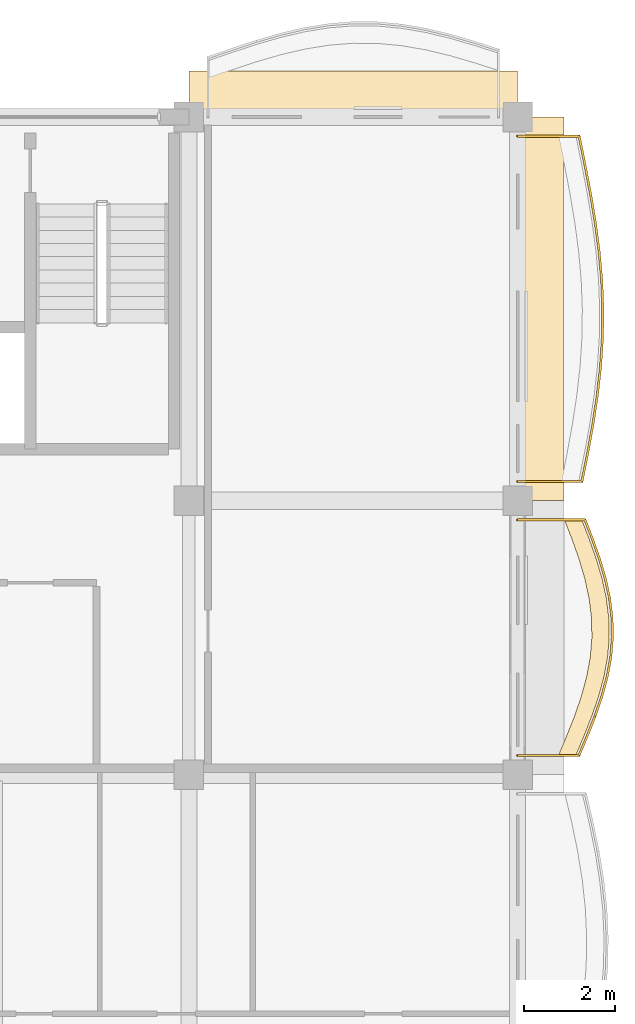
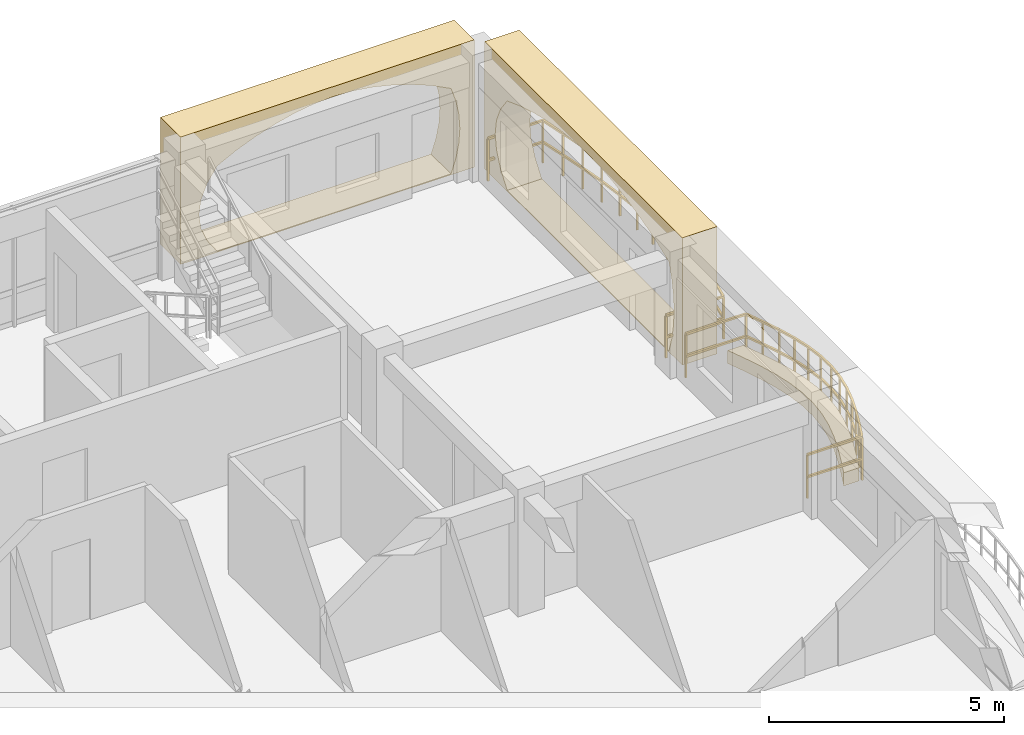
# One storey, part 78 of 79: 3 coverings, 2 railings.
"""IFC4 building model written with IfcOpenShell, lengths in metres."""

from ifc_helpers import new_model, si_unit, direction, frame, origin, origin_2d, place, context, subcontext, project, spatial, polyline, rectangle, outline, extrude, material, layer, layer_set, type_object, element, save


model = new_model("IFC4")

# Units and contexts
model_context = context("Model", 3, precision=1e-05, world=origin(), true_north=direction((0.0, 1.0)))
body_context = subcontext(model_context, "Body", "Model", "MODEL_VIEW")
ifc_project = project(units=[si_unit("LENGTHUNIT", "METRE"), si_unit("AREAUNIT", "SQUARE_METRE"), si_unit("VOLUMEUNIT", "CUBIC_METRE"), si_unit("PLANEANGLEUNIT", "RADIAN"), si_unit("MASSUNIT", "GRAM", prefix="KILO"), si_unit("THERMODYNAMICTEMPERATUREUNIT", "KELVIN")], contexts=[model_context])

# Site, building, storey
site_placement = place(None, origin())
site = spatial("IfcSite", under=ifc_project, at=site_placement, CompositionType="ELEMENT")
building_placement = place(site_placement, origin())
building = spatial("IfcBuilding", under=site, at=building_placement, Name="Thalorik Housing Commons", CompositionType="ELEMENT")
storey_placement = place(building_placement, frame((0.0, 0.0, 11.39990234375)))
storey = spatial("IfcBuildingStorey", under=building, at=storey_placement, Name="L03", CompositionType="ELEMENT", Elevation=11.39990234375)

# Coverings
ifc_material_1 = material(Name="Precast concrete C40/50", Category="concrete")
ifc_layer_1 = layer(ifc_material_1, 0.85009765625, Name="Precast concrete C40/50", Category="concrete")
ifc_layer_set_1 = layer_set([ifc_layer_1], Name="Precast concrete C40/50")
covering_type_1 = type_object("IfcCoveringType", Name="ARC-CLD-CUSH-850", PredefinedType="CLADDING", material=ifc_layer_set_1)
covering_1_placement = place(storey_placement, frame((174.5849609375, 119.39990234375, 0.0), z_axis=(0.0, 0.0, 1.0), x_axis=(0.0, 1.0, 0.0)))
element("IfcCovering", 1, at=covering_1_placement, inside=storey, type_object=covering_type_1, Name="L03 White Precast Curved Cushion Bay Frame 1850", PredefinedType="CLADDING", context=body_context, shape_type="SweptSolid", body=[
    extrude(outline(polyline([(-4.199951171875, 0.0), (4.199951171875, 0.0), (4.199951171875, 3.300048828125), (-4.199951171875, 3.300048828125), (-4.199951171875, 0.0)]), holes=[polyline([(3.239990234375, 0.02490234375), (3.523193359375, 0.410888671875), (3.693359375, 0.796630859375), (3.75, 1.1826171875), (3.693359375, 1.568359375), (3.523193359375, 1.9541015625), (3.239990234375, 2.340087890625), (2.66748046875, 2.552978515625), (2.094970703125, 2.720458984375), (1.5224609375, 2.85595703125), (0.949951171875, 2.956787109375), (0.37744140625, 3.01904296875), (-0.195068359375, 3.0400390625), (-0.767578125, 3.01904296875), (-1.340087890625, 2.956787109375), (-1.91259765625, 2.85595703125), (-2.485107421875, 2.720458984375), (-3.0576171875, 2.552978515625), (-3.6298828125, 2.340087890625), (-3.750244140625, 1.9541015625), (-3.822509765625, 1.568359375), (-3.8466796875, 1.1826171875), (-3.822509765625, 0.796630859375), (-3.750244140625, 0.410888671875), (-3.6298828125, 0.02490234375), (3.239990234375, 0.02490234375)])]), frame((0.0, 0.425048828125, 0.0), z_axis=(0.0, -1.0, 0.0), x_axis=(1.0, 0.0, 0.0)), (0.0, 0.0, 1.0), 0.85009765625),
])
covering_2_placement = place(storey_placement, frame((170.39990234375, 124.18505859375, 0.0), z_axis=(0.0, 0.0, 1.0), x_axis=(-1.0, 0.0, 0.0)))
element("IfcCovering", 2, at=covering_2_placement, inside=storey, type_object=covering_type_1, Name="L03 White Precast Curved Cushion Bay Frame 1852", PredefinedType="CLADDING", context=body_context, shape_type="SweptSolid", body=[
    extrude(outline(polyline([(-3.60009765625, 0.0), (3.60009765625, 0.0), (3.60009765625, 3.300048828125), (-3.60009765625, 3.300048828125), (-3.60009765625, 0.0)]), holes=[polyline([(2.702392578125, 0.02490234375), (2.951171875, 0.394287109375), (3.100341796875, 0.76318359375), (3.14990234375, 1.132568359375), (3.100341796875, 1.501708984375), (2.951171875, 1.870849609375), (2.702392578125, 2.239990234375), (2.224853515625, 2.4833984375), (1.7470703125, 2.6748046875), (1.269287109375, 2.82958984375), (0.791748046875, 2.94482421875), (0.31396484375, 3.01611328125), (-0.163818359375, 3.0400390625), (-0.6416015625, 3.01611328125), (-1.119140625, 2.94482421875), (-1.596923828125, 2.82958984375), (-2.07470703125, 2.6748046875), (-2.55224609375, 2.4833984375), (-3.030029296875, 2.239990234375), (-3.150390625, 1.870849609375), (-3.222412109375, 1.501708984375), (-3.24658203125, 1.132568359375), (-3.222412109375, 0.76318359375), (-3.150390625, 0.394287109375), (-3.030029296875, 0.02490234375), (2.702392578125, 0.02490234375)])]), frame((0.0, 0.425048828125, 0.0), z_axis=(0.0, -1.0, 0.0), x_axis=(1.0, 0.0, 0.0)), (0.0, 0.0, 1.0), 0.85009765625),
])
ifc_material_2 = material(Name="Planted vegetated substrate and terracotta trough", Category="masonry")
ifc_layer_2 = layer(ifc_material_2, 0.340087890625, Name="Planted vegetated substrate and terracotta trough", Category="masonry")
ifc_layer_set_2 = layer_set([ifc_layer_2], Name="Planted vegetated substrate and terracotta trough")
covering_type_2 = type_object("IfcCoveringType", Name="ARC-COV-PLANTER", PredefinedType="USERDEFINED", material=ifc_layer_set_2)
covering_3_placement = place(storey_placement, origin())
element("IfcCovering", 3, at=covering_3_placement, inside=storey, type_object=covering_type_2, Name="L03 Balcony Slab-Edge Planted Trough 5445", ObjectType="PLANTER", PredefinedType="USERDEFINED", context=body_context, shape_type="SweptSolid", body=[
    extrude(outline(polyline([(175.2744140625, 109.6201171875), (175.454833984375, 110.050048828125), (175.62451171875, 110.47998046875), (175.77294921875, 110.909912109375), (175.890380859375, 111.340087890625), (175.969482421875, 111.77001953125), (176.00537109375, 112.199951171875), (175.996337890625, 112.6298828125), (175.943359375, 113.06005859375), (175.850341796875, 113.489990234375), (175.723388671875, 113.919921875), (175.571533203125, 114.35009765625), (175.405029296875, 114.780029296875), (175.02490234375, 114.780029296875), (175.191650390625, 114.35009765625), (175.343505859375, 113.919921875), (175.47021484375, 113.489990234375), (175.5634765625, 113.06005859375), (175.616455078125, 112.6298828125), (175.62548828125, 112.199951171875), (175.58935546875, 111.77001953125), (175.51025390625, 111.340087890625), (175.392822265625, 110.909912109375), (175.24462890625, 110.47998046875), (175.07470703125, 110.050048828125), (174.894287109375, 109.6201171875), (175.2744140625, 109.6201171875)])), origin(), (0.0, 0.0, 1.0), 0.340087890625),
])

# Railings
ifc_material_3 = material(Name="Steel S355", Category="steel")
railing_type_1 = type_object("IfcRailingType", Name="ARC-RL-BAL-112", PredefinedType="BALUSTRADE", material=ifc_material_3)
railing_1_placement = place(storey_placement, frame((174.0, 115.6201171875, 0.0)))
element("IfcRailing", 4, at=railing_1_placement, inside=storey, type_object=railing_type_1, Name="L03 Cushion Balcony Guardrail 130", PredefinedType="BALUSTRADE", context=body_context, shape_type="SweptSolid", body=[
    extrude(rectangle(XDim=0.050048828125, YDim=0.050048828125, at=origin_2d()), frame((0.0, 0.0, 1.09521484375), z_axis=(1.0, 0.0, 0.0), x_axis=(0.0, 1.0, 0.0)), (0.0, 0.0, 1.0), 1.40869140625),
    extrude(rectangle(XDim=0.050048828125, YDim=0.050048828125, at=origin_2d()), frame((0.0, 0.0, 0.53515625), z_axis=(1.0, 0.0, 0.0), x_axis=(0.0, 1.0, 0.0)), (0.0, 0.0, 1.0), 1.40869140625),
    extrude(rectangle(XDim=0.050048828125, YDim=0.050048828125, at=origin_2d()), frame((1.40869140625, 0.0, 1.09521484375), z_axis=(0.19684687543, 0.980434244421, 0.0), x_axis=(-0.980434244421, 0.19684687543, 0.0)), (0.0, 0.0, 1.0), 0.642333984375),
    extrude(rectangle(XDim=0.050048828125, YDim=0.050048828125, at=origin_2d()), frame((1.40869140625, 0.0, 0.53515625), z_axis=(0.19684687543, 0.980434244421, 0.0), x_axis=(-0.980434244421, 0.19684687543, 0.0)), (0.0, 0.0, 1.0), 0.642333984375),
    extrude(rectangle(XDim=0.050048828125, YDim=0.050048828125, at=origin_2d()), frame((1.53515625, 0.6298828125, 1.09521484375), z_axis=(0.179958985295, 0.983674114538, 0.0), x_axis=(-0.983674114538, 0.179958985295, 0.0)), (0.0, 0.0, 1.0), 0.640380859375),
    extrude(rectangle(XDim=0.050048828125, YDim=0.050048828125, at=origin_2d()), frame((1.53515625, 0.6298828125, 0.53515625), z_axis=(0.179958985295, 0.983674114538, 0.0), x_axis=(-0.983674114538, 0.179958985295, 0.0)), (0.0, 0.0, 1.0), 0.640380859375),
    extrude(rectangle(XDim=0.050048828125, YDim=0.050048828125, at=origin_2d()), frame((1.650390625, 1.259765625, 1.09521484375), z_axis=(0.150531517902, 0.988605210445, 0.0), x_axis=(-0.988605210445, 0.150531517902, 0.0)), (0.0, 0.0, 1.0), 0.637451171875),
    extrude(rectangle(XDim=0.050048828125, YDim=0.050048828125, at=origin_2d()), frame((1.650390625, 1.259765625, 0.53515625), z_axis=(0.150531517902, 0.988605210445, 0.0), x_axis=(-0.988605210445, 0.150531517902, 0.0)), (0.0, 0.0, 1.0), 0.637451171875),
    extrude(rectangle(XDim=0.050048828125, YDim=0.050048828125, at=origin_2d()), frame((1.746337890625, 1.889892578125, 1.09521484375), z_axis=(0.1116996832, 0.993742009162, 0.0), x_axis=(-0.993742009162, 0.1116996832, 0.0)), (0.0, 0.0, 1.0), 0.6337890625),
    extrude(rectangle(XDim=0.050048828125, YDim=0.050048828125, at=origin_2d()), frame((1.746337890625, 1.889892578125, 0.53515625), z_axis=(0.1116996832, 0.993742009162, 0.0), x_axis=(-0.993742009162, 0.1116996832, 0.0)), (0.0, 0.0, 1.0), 0.6337890625),
    extrude(rectangle(XDim=0.050048828125, YDim=0.050048828125, at=origin_2d()), frame((1.817138671875, 2.519775390625, 1.09521484375), z_axis=(0.064568584417, 0.997913271736, 0.0), x_axis=(-0.997913271736, 0.064568584417, 0.0)), (0.0, 0.0, 1.0), 0.63134765625),
    extrude(rectangle(XDim=0.050048828125, YDim=0.050048828125, at=origin_2d()), frame((1.817138671875, 2.519775390625, 0.53515625), z_axis=(0.064568584417, 0.997913271736, 0.0), x_axis=(-0.997913271736, 0.064568584417, 0.0)), (0.0, 0.0, 1.0), 0.63134765625),
    extrude(rectangle(XDim=0.050048828125, YDim=0.050048828125, at=origin_2d()), frame((1.85791015625, 3.14990234375, 1.09521484375), z_axis=(0.013177150402, 0.999913177585, 0.0), x_axis=(-0.999913177585, 0.013177150402, 0.0)), (0.0, 0.0, 1.0), 0.6298828125),
    extrude(rectangle(XDim=0.050048828125, YDim=0.050048828125, at=origin_2d()), frame((1.85791015625, 3.14990234375, 0.53515625), z_axis=(0.013177150402, 0.999913177585, 0.0), x_axis=(-0.999913177585, 0.013177150402, 0.0)), (0.0, 0.0, 1.0), 0.6298828125),
    extrude(rectangle(XDim=0.050048828125, YDim=0.050048828125, at=origin_2d()), frame((1.8662109375, 3.77978515625, 1.09521484375), z_axis=(-0.039488741409, 0.999220015463, 0.0), x_axis=(-0.999220015463, -0.039488741409, 0.0)), (0.0, 0.0, 1.0), 0.630615234375),
    extrude(rectangle(XDim=0.050048828125, YDim=0.050048828125, at=origin_2d()), frame((1.8662109375, 3.77978515625, 0.53515625), z_axis=(-0.039488741409, 0.999220015463, 0.0), x_axis=(-0.999220015463, -0.039488741409, 0.0)), (0.0, 0.0, 1.0), 0.630615234375),
    extrude(rectangle(XDim=0.050048828125, YDim=0.050048828125, at=origin_2d()), frame((1.84130859375, 4.409912109375, 1.09521484375), z_axis=(-0.089178149123, 0.996015691502, 0.0), x_axis=(-0.996015691502, -0.089178149123, 0.0)), (0.0, 0.0, 1.0), 0.63232421875),
    extrude(rectangle(XDim=0.050048828125, YDim=0.050048828125, at=origin_2d()), frame((1.84130859375, 4.409912109375, 0.53515625), z_axis=(-0.089178149123, 0.996015691502, 0.0), x_axis=(-0.996015691502, -0.089178149123, 0.0)), (0.0, 0.0, 1.0), 0.63232421875),
    extrude(rectangle(XDim=0.050048828125, YDim=0.050048828125, at=origin_2d()), frame((1.784912109375, 5.039794921875, 1.09521484375), z_axis=(-0.131736031519, 0.991284831923, 0.0), x_axis=(-0.991284831923, -0.131736031519, 0.0)), (0.0, 0.0, 1.0), 0.6357421875),
    extrude(rectangle(XDim=0.050048828125, YDim=0.050048828125, at=origin_2d()), frame((1.784912109375, 5.039794921875, 0.53515625), z_axis=(-0.131736031519, 0.991284831923, 0.0), x_axis=(-0.991284831923, -0.131736031519, 0.0)), (0.0, 0.0, 1.0), 0.6357421875),
    extrude(rectangle(XDim=0.050048828125, YDim=0.050048828125, at=origin_2d()), frame((1.701171875, 5.669921875, 1.09521484375), z_axis=(-0.165514641527, 0.986207332887, 0.0), x_axis=(-0.986207332887, -0.165514641527, 0.0)), (0.0, 0.0, 1.0), 0.638671875),
    extrude(rectangle(XDim=0.050048828125, YDim=0.050048828125, at=origin_2d()), frame((1.701171875, 5.669921875, 0.53515625), z_axis=(-0.165514641527, 0.986207332887, 0.0), x_axis=(-0.986207332887, -0.165514641527, 0.0)), (0.0, 0.0, 1.0), 0.638671875),
    extrude(rectangle(XDim=0.050048828125, YDim=0.050048828125, at=origin_2d()), frame((1.595458984375, 6.2998046875, 1.09521484375), z_axis=(-0.187986357946, 0.982171639392, 0.0), x_axis=(-0.982171639392, -0.187986357946, 0.0)), (0.0, 0.0, 1.0), 0.6416015625),
    extrude(rectangle(XDim=0.050048828125, YDim=0.050048828125, at=origin_2d()), frame((1.595458984375, 6.2998046875, 0.53515625), z_axis=(-0.187986357946, 0.982171639392, 0.0), x_axis=(-0.982171639392, -0.187986357946, 0.0)), (0.0, 0.0, 1.0), 0.6416015625),
    extrude(rectangle(XDim=0.050048828125, YDim=0.050048828125, at=origin_2d()), frame((1.474853515625, 6.929931640625, 1.09521484375), z_axis=(-0.198307371289, 0.980139881085, 0.0), x_axis=(-0.980139881085, -0.198307371289, 0.0)), (0.0, 0.0, 1.0), 0.642578125),
    extrude(rectangle(XDim=0.050048828125, YDim=0.050048828125, at=origin_2d()), frame((1.474853515625, 6.929931640625, 0.53515625), z_axis=(-0.198307371289, 0.980139881085, 0.0), x_axis=(-0.980139881085, -0.198307371289, 0.0)), (0.0, 0.0, 1.0), 0.642578125),
    extrude(rectangle(XDim=0.050048828125, YDim=0.050048828125, at=origin_2d()), frame((1.347412109375, 7.559814453125, 1.09521484375), z_axis=(-1.0, 0.0, 0.0), x_axis=(0.0, -1.0, 0.0)), (0.0, 0.0, 1.0), 1.347412109375),
    extrude(rectangle(XDim=0.050048828125, YDim=0.050048828125, at=origin_2d()), frame((1.347412109375, 7.559814453125, 0.53515625), z_axis=(-1.0, 0.0, 0.0), x_axis=(0.0, -1.0, 0.0)), (0.0, 0.0, 1.0), 1.347412109375),
    extrude(rectangle(XDim=0.0419921875, YDim=0.0419921875, at=origin_2d()), origin(), (0.0, 0.0, 1.0), 1.070068359375),
    extrude(rectangle(XDim=0.0419921875, YDim=0.0419921875, at=origin_2d()), frame((1.40869140625, 0.0, 0.0)), (0.0, 0.0, 1.0), 1.070068359375),
    extrude(rectangle(XDim=0.0419921875, YDim=0.0419921875, at=origin_2d()), frame((1.53515625, 0.6298828125, 0.0)), (0.0, 0.0, 1.0), 1.070068359375),
    extrude(rectangle(XDim=0.0419921875, YDim=0.0419921875, at=origin_2d()), frame((1.650390625, 1.259765625, 0.0)), (0.0, 0.0, 1.0), 1.070068359375),
    extrude(rectangle(XDim=0.0419921875, YDim=0.0419921875, at=origin_2d()), frame((1.746337890625, 1.889892578125, 0.0)), (0.0, 0.0, 1.0), 1.070068359375),
    extrude(rectangle(XDim=0.0419921875, YDim=0.0419921875, at=origin_2d()), frame((1.817138671875, 2.519775390625, 0.0)), (0.0, 0.0, 1.0), 1.070068359375),
    extrude(rectangle(XDim=0.0419921875, YDim=0.0419921875, at=origin_2d()), frame((1.85791015625, 3.14990234375, 0.0)), (0.0, 0.0, 1.0), 1.070068359375),
    extrude(rectangle(XDim=0.0419921875, YDim=0.0419921875, at=origin_2d()), frame((1.8662109375, 3.77978515625, 0.0)), (0.0, 0.0, 1.0), 1.070068359375),
    extrude(rectangle(XDim=0.0419921875, YDim=0.0419921875, at=origin_2d()), frame((1.84130859375, 4.409912109375, 0.0)), (0.0, 0.0, 1.0), 1.070068359375),
    extrude(rectangle(XDim=0.0419921875, YDim=0.0419921875, at=origin_2d()), frame((1.784912109375, 5.039794921875, 0.0)), (0.0, 0.0, 1.0), 1.070068359375),
    extrude(rectangle(XDim=0.0419921875, YDim=0.0419921875, at=origin_2d()), frame((1.701171875, 5.669921875, 0.0)), (0.0, 0.0, 1.0), 1.070068359375),
    extrude(rectangle(XDim=0.0419921875, YDim=0.0419921875, at=origin_2d()), frame((1.595458984375, 6.2998046875, 0.0)), (0.0, 0.0, 1.0), 1.070068359375),
    extrude(rectangle(XDim=0.0419921875, YDim=0.0419921875, at=origin_2d()), frame((1.474853515625, 6.929931640625, 0.0)), (0.0, 0.0, 1.0), 1.070068359375),
    extrude(rectangle(XDim=0.0419921875, YDim=0.0419921875, at=origin_2d()), frame((1.347412109375, 7.559814453125, 0.0)), (0.0, 0.0, 1.0), 1.070068359375),
    extrude(rectangle(XDim=0.0419921875, YDim=0.0419921875, at=origin_2d()), frame((0.0, 7.559814453125, 0.0)), (0.0, 0.0, 1.0), 1.070068359375),
])
railing_type_2 = type_object("IfcRailingType", Name="ARC-RL-BAL-115", PredefinedType="BALUSTRADE", material=ifc_material_3)
railing_2_placement = place(storey_placement, frame((174.0, 109.6201171875, 0.0)))
element("IfcRailing", 5, at=railing_2_placement, inside=storey, type_object=railing_type_2, Name="L03 Cushion Balcony Guardrail 129", PredefinedType="BALUSTRADE", context=body_context, shape_type="SweptSolid", body=[
    extrude(rectangle(XDim=0.050048828125, YDim=0.050048828125, at=origin_2d()), frame((0.0, 0.0, 1.125), z_axis=(1.0, 0.0, 0.0), x_axis=(0.0, 1.0, 0.0)), (0.0, 0.0, 1.0), 1.34423828125),
    extrude(rectangle(XDim=0.050048828125, YDim=0.050048828125, at=origin_2d()), frame((0.0, 0.0, 0.5498046875), z_axis=(1.0, 0.0, 0.0), x_axis=(0.0, 1.0, 0.0)), (0.0, 0.0, 1.0), 1.34423828125),
    extrude(rectangle(XDim=0.050048828125, YDim=0.050048828125, at=origin_2d()), frame((1.34423828125, 0.0, 1.125), z_axis=(0.387401583544, 0.921911065704, 0.0), x_axis=(-0.921911065704, 0.387401583544, 0.0)), (0.0, 0.0, 1.0), 0.46630859375),
    extrude(rectangle(XDim=0.050048828125, YDim=0.050048828125, at=origin_2d()), frame((1.34423828125, 0.0, 0.5498046875), z_axis=(0.387401583544, 0.921911065704, 0.0), x_axis=(-0.921911065704, 0.387401583544, 0.0)), (0.0, 0.0, 1.0), 0.46630859375),
    extrude(rectangle(XDim=0.050048828125, YDim=0.050048828125, at=origin_2d()), frame((1.52490234375, 0.429931640625, 1.125), z_axis=(0.367106402139, 0.930178955636, 0.0), x_axis=(-0.930178955636, 0.367106402139, 0.0)), (0.0, 0.0, 1.0), 0.462158203125),
    extrude(rectangle(XDim=0.050048828125, YDim=0.050048828125, at=origin_2d()), frame((1.52490234375, 0.429931640625, 0.5498046875), z_axis=(0.367106402139, 0.930178955636, 0.0), x_axis=(-0.930178955636, 0.367106402139, 0.0)), (0.0, 0.0, 1.0), 0.462158203125),
    extrude(rectangle(XDim=0.050048828125, YDim=0.050048828125, at=origin_2d()), frame((1.694580078125, 0.85986328125, 1.125), z_axis=(0.326354588613, 0.945247418664, 0.0), x_axis=(-0.945247418664, 0.326354588613, 0.0)), (0.0, 0.0, 1.0), 0.454833984375),
    extrude(rectangle(XDim=0.050048828125, YDim=0.050048828125, at=origin_2d()), frame((1.694580078125, 0.85986328125, 0.5498046875), z_axis=(0.326354588613, 0.945247418664, 0.0), x_axis=(-0.945247418664, 0.326354588613, 0.0)), (0.0, 0.0, 1.0), 0.454833984375),
    extrude(rectangle(XDim=0.050048828125, YDim=0.050048828125, at=origin_2d()), frame((1.843017578125, 1.289794921875, 1.125), z_axis=(0.262839391665, 0.964839600239, 0.0), x_axis=(-0.964839600239, 0.262839391665, 0.0)), (0.0, 0.0, 1.0), 0.44580078125),
    extrude(rectangle(XDim=0.050048828125, YDim=0.050048828125, at=origin_2d()), frame((1.843017578125, 1.289794921875, 0.5498046875), z_axis=(0.262839391665, 0.964839600239, 0.0), x_axis=(-0.964839600239, 0.262839391665, 0.0)), (0.0, 0.0, 1.0), 0.44580078125),
    extrude(rectangle(XDim=0.050048828125, YDim=0.050048828125, at=origin_2d()), frame((1.960205078125, 1.719970703125, 1.125), z_axis=(0.180949205818, 0.983492442733, 0.0), x_axis=(-0.983492442733, 0.180949205818, 0.0)), (0.0, 0.0, 1.0), 0.437255859375),
    extrude(rectangle(XDim=0.050048828125, YDim=0.050048828125, at=origin_2d()), frame((1.960205078125, 1.719970703125, 0.5498046875), z_axis=(0.180949205818, 0.983492442733, 0.0), x_axis=(-0.983492442733, 0.180949205818, 0.0)), (0.0, 0.0, 1.0), 0.437255859375),
    extrude(rectangle(XDim=0.050048828125, YDim=0.050048828125, at=origin_2d()), frame((2.039306640625, 2.14990234375, 1.125), z_axis=(0.083747911415, 0.996486972987, 0.0), x_axis=(-0.996486972987, 0.083747911415, 0.0)), (0.0, 0.0, 1.0), 0.431396484375),
    extrude(rectangle(XDim=0.050048828125, YDim=0.050048828125, at=origin_2d()), frame((2.039306640625, 2.14990234375, 0.5498046875), z_axis=(0.083747911415, 0.996486972987, 0.0), x_axis=(-0.996486972987, 0.083747911415, 0.0)), (0.0, 0.0, 1.0), 0.431396484375),
    extrude(rectangle(XDim=0.050048828125, YDim=0.050048828125, at=origin_2d()), frame((2.075439453125, 2.579833984375, 1.125), z_axis=(-0.021006153218, 0.999779346419, 0.0), x_axis=(-0.999779346419, -0.021006153218, 0.0)), (0.0, 0.0, 1.0), 0.429931640625),
    extrude(rectangle(XDim=0.050048828125, YDim=0.050048828125, at=origin_2d()), frame((2.075439453125, 2.579833984375, 0.5498046875), z_axis=(-0.021006153218, 0.999779346419, 0.0), x_axis=(-0.999779346419, -0.021006153218, 0.0)), (0.0, 0.0, 1.0), 0.429931640625),
    extrude(rectangle(XDim=0.050048828125, YDim=0.050048828125, at=origin_2d()), frame((2.06640625, 3.009765625, 1.125), z_axis=(-0.122232029965, 0.992501552065, 0.0), x_axis=(-0.992501552065, -0.122232029965, 0.0)), (0.0, 0.0, 1.0), 0.433349609375),
    extrude(rectangle(XDim=0.050048828125, YDim=0.050048828125, at=origin_2d()), frame((2.06640625, 3.009765625, 0.5498046875), z_axis=(-0.122232029965, 0.992501552065, 0.0), x_axis=(-0.992501552065, -0.122232029965, 0.0)), (0.0, 0.0, 1.0), 0.433349609375),
    extrude(rectangle(XDim=0.050048828125, YDim=0.050048828125, at=origin_2d()), frame((2.013427734375, 3.43994140625, 1.125), z_axis=(-0.211461765505, 0.977386270483, 0.0), x_axis=(-0.977386270483, -0.211461765505, 0.0)), (0.0, 0.0, 1.0), 0.43994140625),
    extrude(rectangle(XDim=0.050048828125, YDim=0.050048828125, at=origin_2d()), frame((2.013427734375, 3.43994140625, 0.5498046875), z_axis=(-0.211461765505, 0.977386270483, 0.0), x_axis=(-0.977386270483, -0.211461765505, 0.0)), (0.0, 0.0, 1.0), 0.43994140625),
    extrude(rectangle(XDim=0.050048828125, YDim=0.050048828125, at=origin_2d()), frame((1.92041015625, 3.869873046875, 1.125), z_axis=(-0.283198148113, 0.95906142082, 0.0), x_axis=(-0.95906142082, -0.283198148113, 0.0)), (0.0, 0.0, 1.0), 0.4482421875),
    extrude(rectangle(XDim=0.050048828125, YDim=0.050048828125, at=origin_2d()), frame((1.92041015625, 3.869873046875, 0.5498046875), z_axis=(-0.283198148113, 0.95906142082, 0.0), x_axis=(-0.95906142082, -0.283198148113, 0.0)), (0.0, 0.0, 1.0), 0.4482421875),
    extrude(rectangle(XDim=0.050048828125, YDim=0.050048828125, at=origin_2d()), frame((1.79345703125, 4.2998046875, 1.125), z_axis=(-0.332876104225, 0.942970571776, 0.0), x_axis=(-0.942970571776, -0.332876104225, 0.0)), (0.0, 0.0, 1.0), 0.456298828125),
    extrude(rectangle(XDim=0.050048828125, YDim=0.050048828125, at=origin_2d()), frame((1.79345703125, 4.2998046875, 0.5498046875), z_axis=(-0.332876104225, 0.942970571776, 0.0), x_axis=(-0.942970571776, -0.332876104225, 0.0)), (0.0, 0.0, 1.0), 0.456298828125),
    extrude(rectangle(XDim=0.050048828125, YDim=0.050048828125, at=origin_2d()), frame((1.6416015625, 4.72998046875, 1.125), z_axis=(-0.361142655219, 0.932510580412, 0.0), x_axis=(-0.932510580412, -0.361142655219, 0.0)), (0.0, 0.0, 1.0), 0.4609375),
    extrude(rectangle(XDim=0.050048828125, YDim=0.050048828125, at=origin_2d()), frame((1.6416015625, 4.72998046875, 0.5498046875), z_axis=(-0.361142655219, 0.932510580412, 0.0), x_axis=(-0.932510580412, -0.361142655219, 0.0)), (0.0, 0.0, 1.0), 0.4609375),
    extrude(rectangle(XDim=0.050048828125, YDim=0.050048828125, at=origin_2d()), frame((1.47509765625, 5.159912109375, 1.125), z_axis=(-1.0, 0.0, 0.0), x_axis=(0.0, -1.0, 0.0)), (0.0, 0.0, 1.0), 1.47509765625),
    extrude(rectangle(XDim=0.050048828125, YDim=0.050048828125, at=origin_2d()), frame((1.47509765625, 5.159912109375, 0.5498046875), z_axis=(-1.0, 0.0, 0.0), x_axis=(0.0, -1.0, 0.0)), (0.0, 0.0, 1.0), 1.47509765625),
    extrude(rectangle(XDim=0.0419921875, YDim=0.0419921875, at=origin_2d()), origin(), (0.0, 0.0, 1.0), 1.099853515625),
    extrude(rectangle(XDim=0.0419921875, YDim=0.0419921875, at=origin_2d()), frame((1.34423828125, 0.0, 0.0)), (0.0, 0.0, 1.0), 1.099853515625),
    extrude(rectangle(XDim=0.0419921875, YDim=0.0419921875, at=origin_2d()), frame((1.52490234375, 0.429931640625, 0.0)), (0.0, 0.0, 1.0), 1.099853515625),
    extrude(rectangle(XDim=0.0419921875, YDim=0.0419921875, at=origin_2d()), frame((1.694580078125, 0.85986328125, 0.0)), (0.0, 0.0, 1.0), 1.099853515625),
    extrude(rectangle(XDim=0.0419921875, YDim=0.0419921875, at=origin_2d()), frame((1.843017578125, 1.289794921875, 0.0)), (0.0, 0.0, 1.0), 1.099853515625),
    extrude(rectangle(XDim=0.0419921875, YDim=0.0419921875, at=origin_2d()), frame((1.960205078125, 1.719970703125, 0.0)), (0.0, 0.0, 1.0), 1.099853515625),
    extrude(rectangle(XDim=0.0419921875, YDim=0.0419921875, at=origin_2d()), frame((2.039306640625, 2.14990234375, 0.0)), (0.0, 0.0, 1.0), 1.099853515625),
    extrude(rectangle(XDim=0.0419921875, YDim=0.0419921875, at=origin_2d()), frame((2.075439453125, 2.579833984375, 0.0)), (0.0, 0.0, 1.0), 1.099853515625),
    extrude(rectangle(XDim=0.0419921875, YDim=0.0419921875, at=origin_2d()), frame((2.06640625, 3.009765625, 0.0)), (0.0, 0.0, 1.0), 1.099853515625),
    extrude(rectangle(XDim=0.0419921875, YDim=0.0419921875, at=origin_2d()), frame((2.013427734375, 3.43994140625, 0.0)), (0.0, 0.0, 1.0), 1.099853515625),
    extrude(rectangle(XDim=0.0419921875, YDim=0.0419921875, at=origin_2d()), frame((1.92041015625, 3.869873046875, 0.0)), (0.0, 0.0, 1.0), 1.099853515625),
    extrude(rectangle(XDim=0.0419921875, YDim=0.0419921875, at=origin_2d()), frame((1.79345703125, 4.2998046875, 0.0)), (0.0, 0.0, 1.0), 1.099853515625),
    extrude(rectangle(XDim=0.0419921875, YDim=0.0419921875, at=origin_2d()), frame((1.6416015625, 4.72998046875, 0.0)), (0.0, 0.0, 1.0), 1.099853515625),
    extrude(rectangle(XDim=0.0419921875, YDim=0.0419921875, at=origin_2d()), frame((1.47509765625, 5.159912109375, 0.0)), (0.0, 0.0, 1.0), 1.099853515625),
    extrude(rectangle(XDim=0.0419921875, YDim=0.0419921875, at=origin_2d()), frame((0.0, 5.159912109375, 0.0)), (0.0, 0.0, 1.0), 1.099853515625),
])

save(model, "model.ifc")
